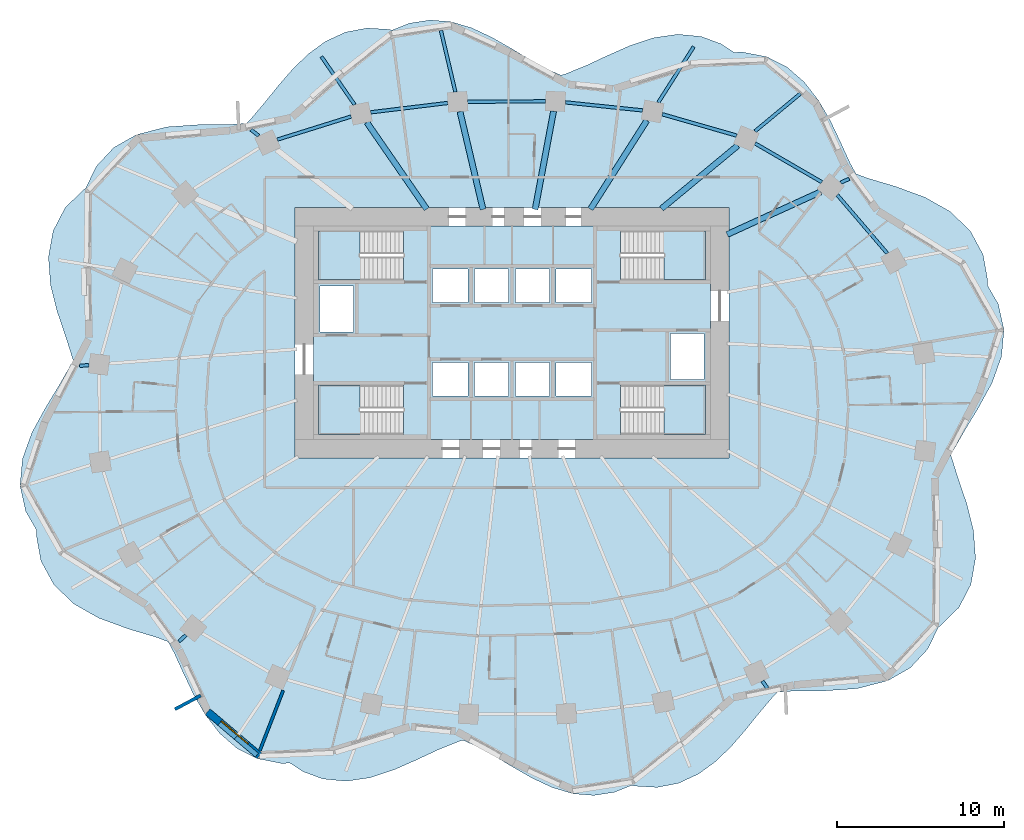
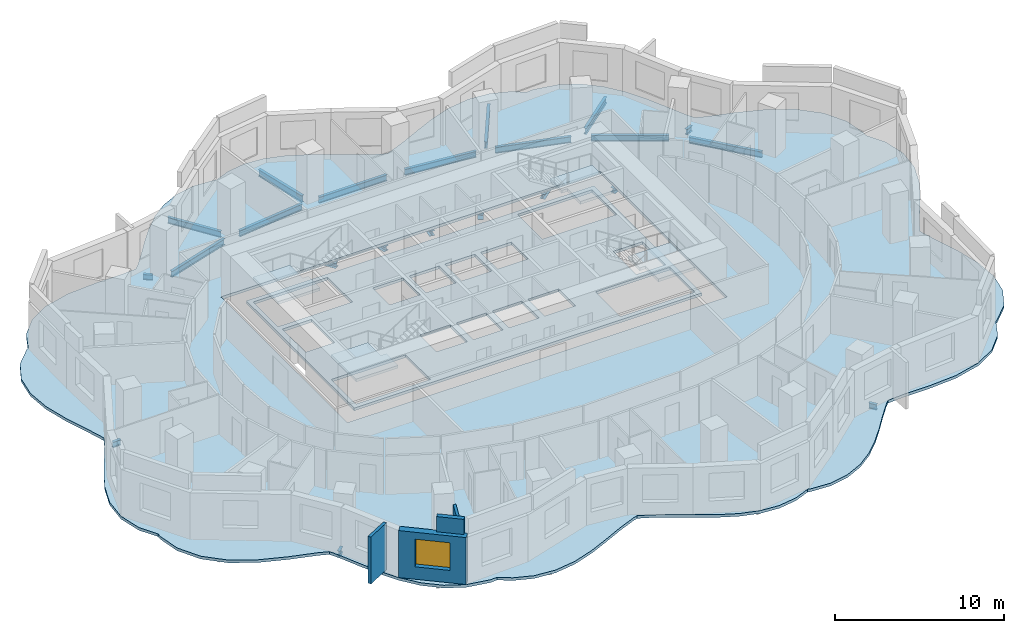
# One storey, part 2 of 11: 22 beams, 6 slabs, 4 walls, 1 window, 1 opening, 4 elements without a shape of their own.
"""IFC4 building model written with IfcOpenShell, lengths in metres."""

import ifcopenshell
import ifcopenshell.guid

model = None  # the IFC model being written
_history = None  # IfcOwnerHistory: only IFC2X3 demands one
_inside = {}  # id of a spatial element -> (the spatial element, [elements in it])
_under = {}  # id of a project, library or spatial element -> (it, [spatial elements below it])
_declared = {}  # id of a project -> (the project, [libraries it declares])
_typed = {}  # id of a type object -> (the type object, [elements of that type])
_made_of = {}  # id of a material, layer set ... -> (it, [elements and type objects made of it])


def new_model(schema):
    """Start an empty IFC model of exactly this schema.

    Asked for "IFC4X3", IfcOpenShell would pick the latest addendum, in which some entities
    have other attributes; the version numbers below select the first issue.
    IFC2X3 requires an IfcOwnerHistory on every rooted entity: one is made here for all.
    """
    global model, _history
    if schema == "IFC4X3":
        model = ifcopenshell.file(schema_version=(4, 3, 0, 0))
    else:
        model = ifcopenshell.file(schema=schema)
    _inside.clear()
    _under.clear()
    _declared.clear()
    _typed.clear()
    _made_of.clear()
    _history = None
    if model.schema == "IFC2X3":
        org = make("IfcOrganization", Name="unknown")
        user = make(
            "IfcPersonAndOrganization",
            ThePerson=make("IfcPerson", FamilyName="unknown"),
            TheOrganization=org,
        )
        app = make(
            "IfcApplication",
            ApplicationDeveloper=org,
            Version="unknown",
            ApplicationFullName="unknown",
            ApplicationIdentifier="unknown",
        )
        _history = make(
            "IfcOwnerHistory",
            OwningUser=user,
            OwningApplication=app,
            ChangeAction="ADDED",
            CreationDate=0,
        )
    return model


def make(cls, **values):
    """One entity of the class cls with the attributes given. An attribute that is None is left unset."""
    return model.create_entity(
        cls, **{name: value for name, value in values.items() if value is not None}
    )


def rooted(cls, **values):
    """An entity with a GlobalId (a new one), such as an element, a storey or a relation."""
    return make(cls, GlobalId=ifcopenshell.guid.new(), OwnerHistory=_history, **values)


def si_unit(unit_type, name, prefix=None):
    """IfcSIUnit, for example si_unit("LENGTHUNIT", "METRE", prefix="MILLI")."""
    return make("IfcSIUnit", UnitType=unit_type, Prefix=prefix, Name=name)


def assignment(units):
    """IfcUnitAssignment: the units of a project."""
    return None if units is None else make("IfcUnitAssignment", Units=units)


def point(xyz):
    """IfcCartesianPoint."""
    return None if xyz is None else make("IfcCartesianPoint", Coordinates=xyz)


def direction(xyz):
    """IfcDirection."""
    return None if xyz is None else make("IfcDirection", DirectionRatios=xyz)


def frame(location, z_axis=None, x_axis=None):
    """IfcAxis2Placement3D, a coordinate frame: its origin and axes. An axis left out is left unset."""
    return make(
        "IfcAxis2Placement3D",
        Location=point(location),
        Axis=direction(z_axis),
        RefDirection=direction(x_axis),
    )


def frame_2d(location, x_axis=None):
    """IfcAxis2Placement2D, a coordinate frame in the plane: its origin and x axis."""
    return make(
        "IfcAxis2Placement2D", Location=point(location), RefDirection=direction(x_axis)
    )


def origin():
    """The frame at (0, 0, 0) with its axes left unset."""
    return frame((0.0, 0.0, 0.0))


def origin_2d():
    """The frame at (0, 0) in the plane with its x axis left unset."""
    return frame_2d((0.0, 0.0))


def place(relative_to, where):
    """IfcLocalPlacement: puts the frame where relative to a parent placement (None: the world)."""
    return make(
        "IfcLocalPlacement", PlacementRelTo=relative_to, RelativePlacement=where
    )


def context(
    kind, dimensions, precision=None, world=None, true_north=None, identifier=None
):
    """IfcGeometricRepresentationContext, for example the 3D "Model" context."""
    return make(
        "IfcGeometricRepresentationContext",
        ContextIdentifier=identifier,
        ContextType=kind,
        CoordinateSpaceDimension=dimensions,
        Precision=precision,
        WorldCoordinateSystem=world,
        TrueNorth=true_north,
    )


def subcontext(parent, identifier, kind, view, scale=None):
    """IfcGeometricRepresentationSubContext, for example "Body" below "Model"."""
    return make(
        "IfcGeometricRepresentationSubContext",
        ContextIdentifier=identifier,
        ContextType=kind,
        ParentContext=parent,
        TargetScale=scale,
        TargetView=view,
    )


def project(units=None, contexts=None):
    """IfcProject with its units and contexts."""
    return rooted(
        "IfcProject",
        Name="project",
        RepresentationContexts=contexts,
        UnitsInContext=assignment(units),
    )


def spatial(cls, under=None, at=None, **own):
    """A site, building, storey or space (cls), placed at a placement, below another one or the project."""
    s = rooted(cls, ObjectPlacement=at, **own)
    if under is not None:
        _under.setdefault(under.id(), (under, []))[1].append(s)
    return s


def polyline(points):
    """IfcPolyline through the points."""
    return make("IfcPolyline", Points=[point(p) for p in points])


def profile(cls, at=None, kind="AREA", **sizes):
    """A parametric profile (cls). Its sizes go by their IFC names, for example OverallWidth=200.0."""
    return make(cls, ProfileType=kind, Position=at, **sizes)


def rectangle(**sizes):
    """IfcRectangleProfileDef."""
    return profile("IfcRectangleProfileDef", **sizes)


def i_section(**sizes):
    """IfcIShapeProfileDef."""
    return profile("IfcIShapeProfileDef", **sizes)


def outline(outer, holes=None, kind="AREA"):
    """IfcArbitraryClosedProfileDef: a profile drawn as a closed curve; with holes, ...WithVoids."""
    if holes is None:
        return make("IfcArbitraryClosedProfileDef", ProfileType=kind, OuterCurve=outer)
    return make(
        "IfcArbitraryProfileDefWithVoids",
        ProfileType=kind,
        OuterCurve=outer,
        InnerCurves=holes,
    )


def extrude(swept, where, along, depth):
    """IfcExtrudedAreaSolid: the profile swept, set in the frame where, extruded along a direction by depth."""
    return make(
        "IfcExtrudedAreaSolid",
        SweptArea=swept,
        Position=where,
        ExtrudedDirection=direction(along),
        Depth=depth,
    )


def shape(context_of_items, identifier, shape_type, items):
    """IfcShapeRepresentation: the items that make up one representation, for example the "Body"."""
    return make(
        "IfcShapeRepresentation",
        ContextOfItems=context_of_items,
        RepresentationIdentifier=identifier,
        RepresentationType=shape_type,
        Items=items,
    )


def material(Name=None, Category=None):
    """IfcMaterial."""
    return make("IfcMaterial", Name=Name, Category=Category)


def layer(
    of_material, thickness, ventilated=None, Name=None, Category=None, Priority=None
):
    """IfcMaterialLayer: one layer of a wall or slab, of a material (None: an air gap)."""
    return make(
        "IfcMaterialLayer",
        Material=of_material,
        LayerThickness=thickness,
        IsVentilated=ventilated,
        Name=Name,
        Category=Category,
        Priority=Priority,
    )


def layer_set(layers, Name=None):
    """IfcMaterialLayerSet."""
    return make("IfcMaterialLayerSet", MaterialLayers=layers, LayerSetName=Name)


def material_profile(
    of_material, cross_section, Name=None, Category=None, Priority=None
):
    """IfcMaterialProfile: a cross section and its material."""
    return make(
        "IfcMaterialProfile",
        Name=Name,
        Material=of_material,
        Profile=cross_section,
        Priority=Priority,
        Category=Category,
    )


def profile_set(profiles, Name=None, composite=None):
    """IfcMaterialProfileSet."""
    return make(
        "IfcMaterialProfileSet",
        Name=Name,
        MaterialProfiles=profiles,
        CompositeProfile=composite,
    )


def made_of(thing, what):
    """Note that an element or type object is made of a material, layer set ...; save() writes the relation."""
    if what is not None:
        _made_of.setdefault(what.id(), (what, []))[1].append(thing)
    return thing


def type_object(cls, material=None, **own):
    """A type object (cls), such as IfcWallType, which elements share."""
    return made_of(rooted(cls, **own), material)


def element(
    cls,
    number,
    at=None,
    inside=None,
    cuts=None,
    type_object=None,
    material=None,
    context=None,
    identifier="Body",
    shape_type=None,
    held_by="IfcProductDefinitionShape",
    body=None,
    shapes=None,
    **own,
):
    """One element of the class cls, such as IfcWall. Its Tag is "e" and its number.

    at: its placement. inside: the storey or other place that contains it. cuts: it is an
    opening in that element (IfcRelVoidsElement). A single representation is given by context,
    identifier, shape_type and body (its items); several are given by shapes. held_by: the class
    of the entity that holds the representations. save() writes the other relations.
    """
    e = rooted(cls, Tag="e%d" % number, ObjectPlacement=at, **own)
    if body is not None:
        shapes = [shape(context, identifier, shape_type, body)]
    if shapes is not None:
        e.Representation = make(held_by, Representations=shapes)
    if inside is not None:
        _inside.setdefault(inside.id(), (inside, []))[1].append(e)
    if cuts is not None:
        rooted(
            "IfcRelVoidsElement", RelatingBuildingElement=cuts, RelatedOpeningElement=e
        )
    if type_object is not None:
        _typed.setdefault(type_object.id(), (type_object, []))[1].append(e)
    return made_of(e, material)


def fill(opening, filler):
    """IfcRelFillsElement: the door or window that sits in an opening."""
    return rooted(
        "IfcRelFillsElement",
        RelatingOpeningElement=opening,
        RelatedBuildingElement=filler,
    )


def aggregate(whole, parts):
    """IfcRelAggregates: a whole, such as a stair, and the parts it consists of."""
    return rooted("IfcRelAggregates", RelatingObject=whole, RelatedObjects=parts)


def save(model, path):
    """Write the relations noted so far, then the file.

    IfcRelAggregates (storeys below a building ...), IfcRelContainedInSpatialStructure (elements
    in a storey), IfcRelDefinesByType, IfcRelAssociatesMaterial and IfcRelDeclares: one each for
    every whole, place, type object, material and project.
    """
    for whole, parts in _under.values():
        aggregate(whole, parts)
    for where, things in _inside.values():
        rooted(
            "IfcRelContainedInSpatialStructure",
            RelatedElements=things,
            RelatingStructure=where,
        )
    for kind, things in _typed.values():
        rooted("IfcRelDefinesByType", RelatedObjects=things, RelatingType=kind)
    for what, things in _made_of.values():
        rooted("IfcRelAssociatesMaterial", RelatedObjects=things, RelatingMaterial=what)
    for by, libraries in _declared.values():
        rooted("IfcRelDeclares", RelatingContext=by, RelatedDefinitions=libraries)
    model.write(path)


model = new_model("IFC4")

# Units and contexts
model_context = context("Model", 3, precision=1e-05, world=origin(), true_north=direction((0.0, 1.0)))
body_context = subcontext(model_context, "Body", "Model", "MODEL_VIEW")
ifc_project = project(units=[si_unit("LENGTHUNIT", "METRE"), si_unit("AREAUNIT", "SQUARE_METRE"), si_unit("VOLUMEUNIT", "CUBIC_METRE"), si_unit("PLANEANGLEUNIT", "RADIAN"), si_unit("MASSUNIT", "GRAM", prefix="KILO")], contexts=[model_context])

# Site, building, storey
site_placement = place(None, origin())
site = spatial("IfcSite", under=ifc_project, at=site_placement, CompositionType="ELEMENT")
building_placement = place(site_placement, origin())
building = spatial("IfcBuilding", under=site, at=building_placement, Name="Rubra Terraces Tower", CompositionType="ELEMENT")
storey_placement = place(building_placement, frame((0.0, 0.0, 114.0)))
storey = spatial("IfcBuildingStorey", under=building, at=storey_placement, Name="L27", CompositionType="ELEMENT", Elevation=114.0)

# Beams
ifc_material_1 = material(Name="Steel Q355B", Category="steel")
ifc_material_profile_1 = material_profile(ifc_material_1, i_section(OverallWidth=0.198974609375, OverallDepth=0.446044921875, WebThickness=0.008056640625, FlangeThickness=0.011962890625, at=origin_2d()), Name="HN 446x199x8x12")
ifc_profile_set_1 = profile_set([ifc_material_profile_1], Name="Steel Q355B")
beam_type_1 = type_object("IfcBeamType", Name="CANTILEVER BEAM HN 446x199x8x12", PredefinedType="BEAM", material=ifc_profile_set_1)
beam_1_placement = place(storey_placement, frame((14.56201171875, 16.56689453125, -0.423095703125), z_axis=(0.769887828259, 0.638179231799, 0.0), x_axis=(-0.638179231799, 0.769887828259, 0.0)))
element("IfcBeam", 1, at=beam_1_placement, inside=storey, type_object=beam_type_1, Name="beam-L27-cant-04", PredefinedType="BEAM", context=body_context, shape_type="SweptSolid", body=[
    extrude(i_section(OverallWidth=0.198974609375, OverallDepth=0.446044921875, WebThickness=0.008056640625, FlangeThickness=0.011962890625, at=origin_2d()), origin(), (0.0, 0.0, 1.0), 3.536865234375),
])
beam_2_placement = place(storey_placement, frame((-9.431884765625, 18.158935546875, -0.423095703125), z_axis=(-0.568143330558, 0.822929617855, 0.0), x_axis=(-0.822929617855, -0.568143330558, 0.0)))
element("IfcBeam", 2, at=beam_2_placement, inside=storey, type_object=beam_type_1, Name="beam-L27-cant-08", PredefinedType="BEAM", context=body_context, shape_type="SweptSolid", body=[
    extrude(i_section(OverallWidth=0.198974609375, OverallDepth=0.446044921875, WebThickness=0.008056640625, FlangeThickness=0.011962890625, at=origin_2d()), origin(), (0.0, 0.0, 1.0), 3.48876953125),
])
ifc_material_profile_2 = material_profile(ifc_material_1, i_section(OverallWidth=0.198974609375, OverallDepth=0.49609375, WebThickness=0.009033203125, FlangeThickness=0.013916015625, at=origin_2d()), Name="HN 496x199x9x14")
ifc_profile_set_2 = profile_set([ifc_material_profile_2], Name="Steel Q355B")
beam_type_2 = type_object("IfcBeamType", Name="CANTILEVER BEAM HN 496x199x9x14", PredefinedType="BEAM", material=ifc_profile_set_2)
beam_3_placement = place(storey_placement, frame((8.76806640625, 18.29296875, -0.447998046875), z_axis=(0.536383526096, 0.843974355613, 0.0), x_axis=(-0.843974355613, 0.536383526096, 0.0)))
element("IfcBeam", 3, at=beam_3_placement, inside=storey, type_object=beam_type_2, Name="beam-L27-cant-05", PredefinedType="BEAM", context=body_context, shape_type="SweptSolid", body=[
    extrude(i_section(OverallWidth=0.198974609375, OverallDepth=0.49609375, WebThickness=0.009033203125, FlangeThickness=0.013916015625, at=origin_2d()), origin(), (0.0, 0.0, 1.0), 3.950439453125),
])
beam_4_placement = place(storey_placement, frame((-3.39306640625, 18.922119140625, -0.447998046875), z_axis=(-0.229006945977, 0.973424788412, 0.0), x_axis=(-0.973424788412, -0.229006945977, 0.0)))
element("IfcBeam", 4, at=beam_4_placement, inside=storey, type_object=beam_type_2, Name="beam-L27-cant-07", PredefinedType="BEAM", context=body_context, shape_type="SweptSolid", body=[
    extrude(i_section(OverallWidth=0.198974609375, OverallDepth=0.49609375, WebThickness=0.009033203125, FlangeThickness=0.013916015625, at=origin_2d()), origin(), (0.0, 0.0, 1.0), 3.781494140625),
])
ifc_material_profile_3 = material_profile(ifc_material_1, i_section(OverallWidth=0.199951171875, OverallDepth=0.39990234375, WebThickness=0.008056640625, FlangeThickness=0.012939453125, at=origin_2d()), Name="HN 400x200x8x13")
ifc_profile_set_3 = profile_set([ifc_material_profile_3], Name="Steel Q355B")
beam_type_3 = type_object("IfcBeamType", Name="CANTILEVER STUB HN 400x200x8x13", PredefinedType="BEAM", material=ifc_profile_set_3)
beam_5_placement = place(storey_placement, frame((19.697998046875, 13.485107421875, -0.39990234375), z_axis=(0.909426775416, 0.415864088564, 0.0), x_axis=(-0.415864088564, 0.909426775416, 0.0)))
element("IfcBeam", 5, at=beam_5_placement, inside=storey, type_object=beam_type_3, Name="beam-L27-cant-03", PredefinedType="BEAM", context=body_context, shape_type="SweptSolid", body=[
    extrude(i_section(OverallWidth=0.199951171875, OverallDepth=0.39990234375, WebThickness=0.008056640625, FlangeThickness=0.012939453125, at=origin_2d()), origin(), (0.0, 0.0, 1.0), 0.552978515625),
])
beam_6_placement = place(storey_placement, frame((-15.177001953125, 16.2958984375, -0.39990234375), z_axis=(-0.789013838328, 0.614375425068, 0.0), x_axis=(-0.614375425068, -0.789013838328, 0.0)))
element("IfcBeam", 6, at=beam_6_placement, inside=storey, type_object=beam_type_3, Name="beam-L27-cant-09", PredefinedType="BEAM", context=body_context, shape_type="SweptSolid", body=[
    extrude(i_section(OverallWidth=0.199951171875, OverallDepth=0.39990234375, WebThickness=0.008056640625, FlangeThickness=0.012939453125, at=origin_2d()), origin(), (0.0, 0.0, 1.0), 0.5830078125),
])
beam_7_placement = place(storey_placement, frame((-25.35400390625, 2.552001953125, -0.39990234375), z_axis=(-0.997064949577, -0.076560344342, 0.0), x_axis=(0.076560344342, -0.997064949577, 0.0)))
element("IfcBeam", 7, at=beam_7_placement, inside=storey, type_object=beam_type_3, Name="beam-L27-cant-12", PredefinedType="BEAM", context=body_context, shape_type="SweptSolid", body=[
    extrude(i_section(OverallWidth=0.199951171875, OverallDepth=0.39990234375, WebThickness=0.008056640625, FlangeThickness=0.012939453125, at=origin_2d()), origin(), (0.0, 0.0, 1.0), 0.548583984375),
])
beam_8_placement = place(storey_placement, frame((-19.535888671875, -13.6201171875, -0.39990234375), z_axis=(-0.73254730476, -0.680716127537, 0.0), x_axis=(0.680716127537, -0.73254730476, 0.0)))
element("IfcBeam", 8, at=beam_8_placement, inside=storey, type_object=beam_type_3, Name="beam-L27-cant-15", PredefinedType="BEAM", context=body_context, shape_type="SweptSolid", body=[
    extrude(i_section(OverallWidth=0.199951171875, OverallDepth=0.39990234375, WebThickness=0.008056640625, FlangeThickness=0.012939453125, at=origin_2d()), origin(), (0.0, 0.0, 1.0), 0.565185546875),
])
beam_9_placement = place(storey_placement, frame((15.0, -16.376953125, -0.39990234375), z_axis=(0.58238075016, -0.812916146871, 0.0), x_axis=(0.812916146871, 0.58238075016, 0.0)))
element("IfcBeam", 9, at=beam_9_placement, inside=storey, type_object=beam_type_3, Name="beam-L27-cant-21", PredefinedType="BEAM", context=body_context, shape_type="SweptSolid", body=[
    extrude(i_section(OverallWidth=0.199951171875, OverallDepth=0.39990234375, WebThickness=0.008056640625, FlangeThickness=0.012939453125, at=origin_2d()), origin(), (0.0, 0.0, 1.0), 0.525390625),
])
ifc_material_profile_4 = material_profile(ifc_material_1, i_section(OverallWidth=0.35009765625, OverallDepth=0.35009765625, WebThickness=0.011962890625, FlangeThickness=0.01904296875, at=origin_2d()), Name="HW 350x350x12x19")
ifc_profile_set_4 = profile_set([ifc_material_profile_4], Name="Steel Q355B")
beam_type_4 = type_object("IfcBeamType", Name="FLOOR BEAM HW 350x350x12x19", PredefinedType="BEAM", material=ifc_profile_set_4)
beam_10_placement = place(storey_placement, frame((18.486083984375, 12.93310546875, -0.375), z_axis=(-0.909749612827, -0.415157370116, 0.0), x_axis=(0.415157370116, -0.909749612827, 0.0)))
element("IfcBeam", 10, at=beam_10_placement, inside=storey, type_object=beam_type_4, Name="beam-L27-floor-03", PredefinedType="BEAM", context=body_context, shape_type="SweptSolid", body=[
    extrude(i_section(OverallWidth=0.35009765625, OverallDepth=0.35009765625, WebThickness=0.011962890625, FlangeThickness=0.01904296875, at=origin_2d()), origin(), (0.0, 0.0, 1.0), 6.14990234375),
])
beam_11_placement = place(storey_placement, frame((13.52197265625, 15.705078125, -0.375), z_axis=(-0.769987448283, -0.638059032917, 0.0), x_axis=(0.638059032917, -0.769987448283, 0.0)))
element("IfcBeam", 11, at=beam_11_placement, inside=storey, type_object=beam_type_4, Name="beam-L27-floor-04", PredefinedType="BEAM", context=body_context, shape_type="SweptSolid", body=[
    extrude(i_section(OverallWidth=0.35009765625, OverallDepth=0.35009765625, WebThickness=0.011962890625, FlangeThickness=0.01904296875, at=origin_2d()), origin(), (0.0, 0.0, 1.0), 5.92724609375),
])
beam_12_placement = place(storey_placement, frame((8.075927734375, 17.205078125, -0.375), z_axis=(-0.536468405163, -0.843920405169, 0.0), x_axis=(0.843920405169, -0.536468405163, 0.0)))
element("IfcBeam", 12, at=beam_12_placement, inside=storey, type_object=beam_type_4, Name="beam-L27-floor-05", PredefinedType="BEAM", context=body_context, shape_type="SweptSolid", body=[
    extrude(i_section(OverallWidth=0.35009765625, OverallDepth=0.35009765625, WebThickness=0.011962890625, FlangeThickness=0.01904296875, at=origin_2d()), origin(), (0.0, 0.0, 1.0), 6.28759765625),
])
beam_13_placement = place(storey_placement, frame((2.489990234375, 17.762939453125, -0.375), z_axis=(-0.184505318504, -0.982831515288, 0.0), x_axis=(0.982831515288, -0.184505318504, 0.0)))
element("IfcBeam", 13, at=beam_13_placement, inside=storey, type_object=beam_type_4, Name="beam-L27-floor-06", PredefinedType="BEAM", context=body_context, shape_type="SweptSolid", body=[
    extrude(i_section(OverallWidth=0.35009765625, OverallDepth=0.35009765625, WebThickness=0.011962890625, FlangeThickness=0.01904296875, at=origin_2d()), origin(), (0.0, 0.0, 1.0), 5.983642578125),
])
beam_14_placement = place(storey_placement, frame((-3.114990234375, 17.738037109375, -0.375), z_axis=(0.229084580284, -0.973406520975, 0.0), x_axis=(0.973406520975, 0.229084580284, 0.0)))
element("IfcBeam", 14, at=beam_14_placement, inside=storey, type_object=beam_type_4, Name="beam-L27-floor-07", PredefinedType="BEAM", context=body_context, shape_type="SweptSolid", body=[
    extrude(i_section(OverallWidth=0.35009765625, OverallDepth=0.35009765625, WebThickness=0.011962890625, FlangeThickness=0.01904296875, at=origin_2d()), origin(), (0.0, 0.0, 1.0), 6.014892578125),
])
beam_15_placement = place(storey_placement, frame((-8.694091796875, 17.091064453125, -0.375), z_axis=(0.568116443955, -0.822948179479, 0.0), x_axis=(0.822948179479, 0.568116443955, 0.0)))
element("IfcBeam", 15, at=beam_15_placement, inside=storey, type_object=beam_type_4, Name="beam-L27-floor-08", PredefinedType="BEAM", context=body_context, shape_type="SweptSolid", body=[
    extrude(i_section(OverallWidth=0.35009765625, OverallDepth=0.35009765625, WebThickness=0.011962890625, FlangeThickness=0.01904296875, at=origin_2d()), origin(), (0.0, 0.0, 1.0), 6.306884765625),
])
ifc_material_profile_5 = material_profile(ifc_material_1, i_section(OverallWidth=0.198974609375, OverallDepth=0.446044921875, WebThickness=0.008056640625, FlangeThickness=0.011962890625, at=origin_2d()), Name="HN 446x199x8x12")
ifc_profile_set_5 = profile_set([ifc_material_profile_5], Name="Steel Q355B")
beam_type_5 = type_object("IfcBeamType", Name="SPANDREL BEAM HN 446x199x8x12", PredefinedType="SPANDREL", material=ifc_profile_set_5)
beam_16_placement = place(storey_placement, frame((22.48095703125, 9.251953125, -0.423095703125), z_axis=(-0.650428637413, 0.759567368726, 0.0), x_axis=(-0.759567368726, -0.650428637413, 0.0)))
element("IfcBeam", 16, at=beam_16_placement, inside=storey, type_object=beam_type_5, Name="beam-L27-spandrel-02", PredefinedType="SPANDREL", context=body_context, shape_type="SweptSolid", body=[
    extrude(i_section(OverallWidth=0.198974609375, OverallDepth=0.446044921875, WebThickness=0.008056640625, FlangeThickness=0.011962890625, at=origin_2d()), origin(), (0.0, 0.0, 1.0), 4.6015625),
])
beam_17_placement = place(storey_placement, frame((18.56494140625, 13.513916015625, -0.423095703125), z_axis=(-0.865116425734, 0.501571101565, 0.0), x_axis=(-0.501571101565, -0.865116425734, 0.0)))
element("IfcBeam", 17, at=beam_17_placement, inside=storey, type_object=beam_type_5, Name="beam-L27-spandrel-03", PredefinedType="SPANDREL", context=body_context, shape_type="SweptSolid", body=[
    extrude(i_section(OverallWidth=0.198974609375, OverallDepth=0.446044921875, WebThickness=0.008056640625, FlangeThickness=0.011962890625, at=origin_2d()), origin(), (0.0, 0.0, 1.0), 4.62353515625),
])
beam_18_placement = place(storey_placement, frame((13.4609375, 16.302978515625, -0.423095703125), z_axis=(-0.961195652649, 0.275867572085, 0.0), x_axis=(-0.275867572085, -0.961195652649, 0.0)))
element("IfcBeam", 18, at=beam_18_placement, inside=storey, type_object=beam_type_5, Name="beam-L27-spandrel-04", PredefinedType="SPANDREL", context=body_context, shape_type="SweptSolid", body=[
    extrude(i_section(OverallWidth=0.198974609375, OverallDepth=0.446044921875, WebThickness=0.008056640625, FlangeThickness=0.011962890625, at=origin_2d()), origin(), (0.0, 0.0, 1.0), 4.639892578125),
])
beam_19_placement = place(storey_placement, frame((7.822998046875, 17.81201171875, -0.423095703125), z_axis=(-0.994588599148, 0.103891859374, 0.0), x_axis=(-0.103891859374, -0.994588599148, 0.0)))
element("IfcBeam", 19, at=beam_19_placement, inside=storey, type_object=beam_type_5, Name="beam-L27-spandrel-05", PredefinedType="SPANDREL", context=body_context, shape_type="SweptSolid", body=[
    extrude(i_section(OverallWidth=0.198974609375, OverallDepth=0.446044921875, WebThickness=0.008056640625, FlangeThickness=0.011962890625, at=origin_2d()), origin(), (0.0, 0.0, 1.0), 4.648193359375),
])
beam_20_placement = place(storey_placement, frame((2.0009765625, 18.35498046875, -0.423095703125), z_axis=(-0.99998885538, -0.004721135025, 0.0), x_axis=(0.004721135025, -0.99998885538, 0.0)))
element("IfcBeam", 20, at=beam_20_placement, inside=storey, type_object=beam_type_5, Name="beam-L27-spandrel-06", PredefinedType="SPANDREL", context=body_context, shape_type="SweptSolid", body=[
    extrude(i_section(OverallWidth=0.198974609375, OverallDepth=0.446044921875, WebThickness=0.008056640625, FlangeThickness=0.011962890625, at=origin_2d()), origin(), (0.0, 0.0, 1.0), 4.654052734375),
])
beam_21_placement = place(storey_placement, frame((-3.85107421875, 18.258056640625, -0.423095703125), z_axis=(-0.992713612833, -0.120497646851, 0.0), x_axis=(0.120497646851, -0.992713612833, 0.0)))
element("IfcBeam", 21, at=beam_21_placement, inside=storey, type_object=beam_type_5, Name="beam-L27-spandrel-07", PredefinedType="SPANDREL", context=body_context, shape_type="SweptSolid", body=[
    extrude(i_section(OverallWidth=0.198974609375, OverallDepth=0.446044921875, WebThickness=0.008056640625, FlangeThickness=0.011962890625, at=origin_2d()), origin(), (0.0, 0.0, 1.0), 4.64794921875),
])
beam_22_placement = place(storey_placement, frame((-9.637939453125, 17.445068359375, -0.423095703125), z_axis=(-0.954462184919, -0.298331925142, 0.0), x_axis=(0.298331925142, -0.954462184919, 0.0)))
element("IfcBeam", 22, at=beam_22_placement, inside=storey, type_object=beam_type_5, Name="beam-L27-spandrel-08", PredefinedType="SPANDREL", context=body_context, shape_type="SweptSolid", body=[
    extrude(i_section(OverallWidth=0.198974609375, OverallDepth=0.446044921875, WebThickness=0.008056640625, FlangeThickness=0.011962890625, at=origin_2d()), origin(), (0.0, 0.0, 1.0), 4.63916015625),
])

# Slab
ifc_material_2 = material(Name="Concrete C40", Category="concrete")
ifc_layer_1 = layer(ifc_material_2, 0.199951171875)
ifc_layer_set_1 = layer_set([ifc_layer_1], Name="Concrete C40")
slab_type_1 = type_object("IfcSlabType", Name="Core floor slab 200 concrete", PredefinedType="FLOOR", material=ifc_layer_set_1)
slab_1_placement = place(storey_placement, frame((0.0, 0.0, -0.199951171875)))
element("IfcSlab", 23, at=slab_1_placement, inside=storey, type_object=slab_type_1, Name="CORE FLOOR SLAB L27", PredefinedType="FLOOR", context=body_context, shape_type="SweptSolid", body=[
    extrude(outline(polyline([(-11.89990234375, -1.89990234375), (-11.89990234375, 10.89990234375), (11.89990234375, 10.89990234375), (11.89990234375, -1.89990234375), (-11.89990234375, -1.89990234375)]), holes=[polyline([(11.597900390625, 1.347900390625), (6.501953125, 1.347900390625), (6.501953125, -1.597900390625), (11.597900390625, -1.597900390625), (11.597900390625, 1.347900390625)]), polyline([(11.597900390625, 7.652099609375), (11.597900390625, 10.597900390625), (6.501953125, 10.597900390625), (6.501953125, 7.652099609375), (11.597900390625, 7.652099609375)]), polyline([(9.5, 1.699951171875), (11.5, 1.699951171875), (11.5, 4.449951171875), (9.5, 4.449951171875), (9.5, 1.699951171875)]), polyline([(4.75, 0.699951171875), (4.75, 2.699951171875), (2.64990234375, 2.699951171875), (2.64990234375, 0.699951171875), (4.75, 0.699951171875)]), polyline([(4.75, 6.300048828125), (4.75, 8.300048828125), (2.64990234375, 8.300048828125), (2.64990234375, 6.300048828125), (4.75, 6.300048828125)]), polyline([(2.25, 0.699951171875), (2.25, 2.699951171875), (0.199951171875, 2.699951171875), (0.199951171875, 0.699951171875), (2.25, 0.699951171875)]), polyline([(2.25, 6.300048828125), (2.25, 8.300048828125), (0.199951171875, 8.300048828125), (0.199951171875, 6.300048828125), (2.25, 6.300048828125)]), polyline([(-0.199951171875, 0.699951171875), (-0.199951171875, 2.699951171875), (-2.25, 2.699951171875), (-2.25, 0.699951171875), (-0.199951171875, 0.699951171875)]), polyline([(-0.199951171875, 6.300048828125), (-0.199951171875, 8.300048828125), (-2.25, 8.300048828125), (-2.25, 6.300048828125), (-0.199951171875, 6.300048828125)]), polyline([(-2.64990234375, 0.699951171875), (-2.64990234375, 2.699951171875), (-4.75, 2.699951171875), (-4.75, 0.699951171875), (-2.64990234375, 0.699951171875)]), polyline([(-2.64990234375, 8.300048828125), (-4.75, 8.300048828125), (-4.75, 6.300048828125), (-2.64990234375, 6.300048828125), (-2.64990234375, 8.300048828125)]), polyline([(-11.597900390625, -1.597900390625), (-6.501953125, -1.597900390625), (-6.501953125, 1.347900390625), (-11.597900390625, 1.347900390625), (-11.597900390625, -1.597900390625)]), polyline([(-11.597900390625, 10.597900390625), (-11.597900390625, 7.652099609375), (-6.501953125, 7.652099609375), (-6.501953125, 10.597900390625), (-11.597900390625, 10.597900390625)]), polyline([(-9.5, 4.550048828125), (-9.5, 7.300048828125), (-11.5, 7.300048828125), (-11.5, 4.550048828125), (-9.5, 4.550048828125)])]), origin(), (0.0, 0.0, 1.0), 0.199951171875),
])

# Stair, slab
stair_type = type_object("IfcStairType", Name="Core stair 1400", PredefinedType="HALF_TURN_STAIR", material=ifc_material_2)
stair_1_placement = place(storey_placement, origin())
stair_1 = element("IfcStair", 24, at=stair_1_placement, inside=storey, type_object=stair_type, Name="L27 Exit stair S1", PredefinedType="HALF_TURN_STAIR")
ifc_layer_2 = layer(ifc_material_2, 0.199951171875)
ifc_layer_set_2 = layer_set([ifc_layer_2], Name="Concrete C40")
slab_type_2 = type_object("IfcSlabType", Name="Core stair landing 200", PredefinedType="LANDING", material=ifc_layer_set_2)
slab_2_placement = place(storey_placement, frame((0.0, 0.0, 1.60009765625)))
slab_2 = element("IfcSlab", 25, at=slab_2_placement, type_object=slab_type_2, Name="S1 landing 1", PredefinedType="LANDING", context=body_context, shape_type="SweptSolid", body=[
    extrude(outline(polyline([(-8.719970703125, -0.199951171875), (-8.719970703125, -1.60009765625), (-9.10009765625, -1.60009765625), (-9.1201171875, -1.60009765625), (-11.60009765625, -1.60009765625), (-11.60009765625, 1.35009765625), (-9.1201171875, 1.35009765625), (-9.097900390625, 1.35009765625), (-9.097900390625, -0.050048828125), (-9.10009765625, -0.050048828125), (-9.10009765625, -0.199951171875), (-8.719970703125, -0.199951171875)])), origin(), (0.0, 0.0, 1.0), 0.199951171875),
])
aggregate(stair_1, [slab_2])

stair_2_placement = place(storey_placement, origin())
stair_2 = element("IfcStair", 26, at=stair_2_placement, inside=storey, type_object=stair_type, Name="L27 Exit stair S2", PredefinedType="HALF_TURN_STAIR")
slab_3_placement = place(storey_placement, frame((0.0, 0.0, 1.60009765625)))
slab_3 = element("IfcSlab", 27, at=slab_3_placement, type_object=slab_type_2, Name="S2 landing 1", PredefinedType="LANDING", context=body_context, shape_type="SweptSolid", body=[
    extrude(outline(polyline([(-8.719970703125, 9.050048828125), (-8.719970703125, 7.64990234375), (-9.1201171875, 7.64990234375), (-11.60009765625, 7.64990234375), (-11.60009765625, 10.60009765625), (-9.1201171875, 10.60009765625), (-9.10009765625, 10.60009765625), (-9.097900390625, 10.60009765625), (-9.097900390625, 9.199951171875), (-9.10009765625, 9.199951171875), (-9.10009765625, 9.050048828125), (-8.719970703125, 9.050048828125)])), origin(), (0.0, 0.0, 1.0), 0.199951171875),
])
aggregate(stair_2, [slab_3])

stair_3_placement = place(storey_placement, origin())
stair_3 = element("IfcStair", 28, at=stair_3_placement, inside=storey, type_object=stair_type, Name="L27 Exit stair S3", PredefinedType="HALF_TURN_STAIR")
slab_4_placement = place(storey_placement, frame((0.0, 0.0, 1.60009765625)))
slab_4 = element("IfcSlab", 29, at=slab_4_placement, type_object=slab_type_2, Name="S3 landing 1", PredefinedType="LANDING", context=body_context, shape_type="SweptSolid", body=[
    extrude(outline(polyline([(9.10009765625, 9.050048828125), (9.10009765625, 9.199951171875), (8.719970703125, 9.199951171875), (8.719970703125, 10.60009765625), (9.10009765625, 10.60009765625), (9.1201171875, 10.60009765625), (11.60009765625, 10.60009765625), (11.60009765625, 7.64990234375), (9.1201171875, 7.64990234375), (9.097900390625, 7.64990234375), (9.097900390625, 9.050048828125), (9.10009765625, 9.050048828125)])), origin(), (0.0, 0.0, 1.0), 0.199951171875),
])
aggregate(stair_3, [slab_4])

stair_4_placement = place(storey_placement, origin())
stair_4 = element("IfcStair", 30, at=stair_4_placement, inside=storey, type_object=stair_type, Name="L27 Exit stair S4", PredefinedType="HALF_TURN_STAIR")
slab_5_placement = place(storey_placement, frame((0.0, 0.0, 1.60009765625)))
slab_5 = element("IfcSlab", 31, at=slab_5_placement, type_object=slab_type_2, Name="S4 landing 1", PredefinedType="LANDING", context=body_context, shape_type="SweptSolid", body=[
    extrude(outline(polyline([(9.10009765625, -0.199951171875), (9.10009765625, -0.050048828125), (8.719970703125, -0.050048828125), (8.719970703125, 1.35009765625), (9.10009765625, 1.35009765625), (9.1201171875, 1.35009765625), (11.60009765625, 1.35009765625), (11.60009765625, -1.60009765625), (9.1201171875, -1.60009765625), (9.10009765625, -1.60009765625), (9.097900390625, -1.60009765625), (9.097900390625, -0.199951171875), (9.10009765625, -0.199951171875)])), origin(), (0.0, 0.0, 1.0), 0.199951171875),
])
aggregate(stair_4, [slab_5])

# Slab
ifc_layer_3 = layer(ifc_material_2, 0.199951171875)
ifc_layer_set_3 = layer_set([ifc_layer_3], Name="Concrete C40")
slab_type_3 = type_object("IfcSlabType", Name="FLOOR SLAB 200 COMPOSITE", PredefinedType="FLOOR", material=ifc_layer_set_3)
slab_6_placement = place(storey_placement, frame((0.0, 0.0, -0.199951171875)))
element("IfcSlab", 32, at=slab_6_placement, inside=storey, type_object=slab_type_3, Name="FLOOR SLAB L27", PredefinedType="FLOOR", context=body_context, shape_type="SweptSolid", body=[
    extrude(outline(polyline([(-7.0458984375, -21.68603515625), (-5.712890625, -21.096923828125), (-4.419921875, -20.491943359375), (-3.1650390625, -19.985107421875), (-2.930908203125, -19.922119140625), (-2.111083984375, -20.2900390625), (-1.06494140625, -20.866943359375), (0.0, -21.5), (1.199951171875, -22.18798828125), (2.422119140625, -22.759033203125), (3.6630859375, -23.126953125), (4.908935546875, -23.22900390625), (6.138916015625, -23.037109375), (7.18505859375, -22.618896484375), (7.364990234375, -22.66796875), (8.68798828125, -22.74609375), (9.969970703125, -22.5029296875), (11.180908203125, -21.943115234375), (12.205078125, -21.195068359375), (13.14599609375, -20.282958984375), (14.010986328125, -19.284912109375), (14.845947265625, -18.2490234375), (15.655029296875, -17.29296875), (15.9169921875, -17.033935546875), (16.968017578125, -16.968017578125), (18.7890625, -16.9580078125), (20.68994140625, -16.824951171875), (22.510009765625, -16.35498046875), (23.864990234375, -15.5810546875), (24.9140625, -14.4560546875), (25.544921875, -13.14208984375), (25.6650390625, -13.076904296875), (26.780029296875, -11.968994140625), (27.4951171875, -10.587890625), (27.77197265625, -9.02392578125), (27.65087890625, -7.37109375), (27.2470703125, -5.7529296875), (26.73095703125, -4.23388671875), (26.2939453125, -2.844970703125), (26.31689453125, -2.7880859375), (27.0791015625, -1.43603515625), (27.949951171875, 0.0), (28.764892578125, 1.492919921875), (29.327880859375, 3.06201171875), (29.47607421875, 4.6689453125), (29.134033203125, 6.214111328125), (28.47607421875, 7.347900390625), (28.501953125, 7.617919921875), (28.22607421875, 9.1708984375), (27.449951171875, 10.60400390625), (26.242919921875, 11.759033203125), (24.7470703125, 12.60888671875), (22.95703125, 13.262939453125), (21.2451171875, 13.77197265625), (20.60009765625, 14.02099609375), (20.235107421875, 14.701904296875), (19.68896484375, 15.89990234375), (19.091064453125, 17.156982421875), (18.384033203125, 18.384033203125), (17.507080078125, 19.51708984375), (16.466064453125, 20.4189453125), (15.27392578125, 21.02294921875), (13.781005859375, 21.31494140625), (13.30810546875, 21.284912109375), (12.529052734375, 21.798095703125), (11.3330078125, 22.240966796875), (9.931884765625, 22.3759765625), (8.489013671875, 22.1650390625), (7.0458984375, 21.68603515625), (5.712890625, 21.096923828125), (4.419921875, 20.491943359375), (3.1650390625, 19.985107421875), (2.930908203125, 19.922119140625), (2.111083984375, 20.2900390625), (1.06494140625, 20.866943359375), (0.0, 21.5), (-1.199951171875, 22.18798828125), (-2.422119140625, 22.759033203125), (-3.6630859375, 23.126953125), (-4.908935546875, 23.22900390625), (-6.138916015625, 23.037109375), (-7.18505859375, 22.618896484375), (-7.364990234375, 22.66796875), (-8.68798828125, 22.74609375), (-9.969970703125, 22.5029296875), (-11.180908203125, 21.943115234375), (-12.205078125, 21.195068359375), (-13.14599609375, 20.282958984375), (-14.010986328125, 19.284912109375), (-14.845947265625, 18.2490234375), (-15.655029296875, 17.29296875), (-15.9169921875, 17.033935546875), (-16.968017578125, 16.968017578125), (-18.7890625, 16.9580078125), (-20.68994140625, 16.824951171875), (-22.510009765625, 16.35498046875), (-23.864990234375, 15.5810546875), (-24.9140625, 14.4560546875), (-25.544921875, 13.14208984375), (-25.6650390625, 13.076904296875), (-26.780029296875, 11.968994140625), (-27.4951171875, 10.587890625), (-27.77197265625, 9.02392578125), (-27.65087890625, 7.37109375), (-27.2470703125, 5.7529296875), (-26.73095703125, 4.23388671875), (-26.2939453125, 2.844970703125), (-26.31689453125, 2.7880859375), (-27.0791015625, 1.43603515625), (-27.949951171875, 0.0), (-28.764892578125, -1.492919921875), (-29.327880859375, -3.06201171875), (-29.47607421875, -4.6689453125), (-29.134033203125, -6.214111328125), (-28.47607421875, -7.347900390625), (-28.501953125, -7.617919921875), (-28.22607421875, -9.1708984375), (-27.449951171875, -10.60400390625), (-26.242919921875, -11.759033203125), (-24.7470703125, -12.60888671875), (-22.95703125, -13.262939453125), (-21.2451171875, -13.77197265625), (-20.60009765625, -14.02099609375), (-20.235107421875, -14.701904296875), (-19.68896484375, -15.89990234375), (-19.091064453125, -17.156982421875), (-18.384033203125, -18.384033203125), (-17.507080078125, -19.51708984375), (-16.466064453125, -20.4189453125), (-15.27392578125, -21.02294921875), (-13.781005859375, -21.31494140625), (-13.30810546875, -21.284912109375), (-12.529052734375, -21.798095703125), (-11.3330078125, -22.240966796875), (-9.931884765625, -22.3759765625), (-8.489013671875, -22.1650390625), (-7.0458984375, -21.68603515625)]), holes=[polyline([(13.0, 12.0), (13.0, -3.0), (-13.0, -3.0), (-13.0, 12.0), (13.0, 12.0)])]), origin(), (0.0, 0.0, 1.0), 0.199951171875),
])

# Wall
ifc_material_3 = material(Name="Twin plasterboard on staggered steel stud, acoustic mineral wool", Category="steel")
ifc_layer_4 = layer(ifc_material_3, 0.175048828125)
ifc_layer_set_4 = layer_set([ifc_layer_4], Name="Twin plasterboard on staggered steel stud, acoustic mineral wool")
wall_type_1 = type_object("IfcWallType", Name="ACOUSTIC PARTY WALL 175", PredefinedType="PARTITIONING", material=ifc_layer_set_4)
wall_1_placement = place(storey_placement, frame((-15.115478515625, -20.56201171875, 0.0), z_axis=(0.0, 0.0, 1.0), x_axis=(0.361692522346, 0.93229744142, 0.0)))
element("IfcWall", 33, at=wall_1_placement, inside=storey, type_object=wall_type_1, Name="PARTITION", PredefinedType="PARTITIONING", context=body_context, shape_type="SweptSolid", body=[
    extrude(rectangle(XDim=3.892578125, YDim=0.175048828125, at=frame_2d((1.9462890625, 0.0))), origin(), (0.0, 0.0, 1.0), 2.783935546875),
])

# Wall, opening, window
ifc_material_4 = material(Name="Brick masonry red-brown", Category="masonry")
ifc_layer_5 = layer(ifc_material_4, 0.449951171875)
ifc_layer_set_5 = layer_set([ifc_layer_5], Name="Brick masonry red-brown")
wall_type_2 = type_object("IfcWallType", Name="Brick facade wall 450", PredefinedType="SOLIDWALL", material=ifc_layer_set_5)
wall_2_placement = place(storey_placement, frame((-18.23828125, -18.21240234375, 0.0), z_axis=(0.0, 0.0, 1.0), x_axis=(0.762479604733, -0.647012250554, 0.0)))
wall_2 = element("IfcWall", 34, at=wall_2_placement, inside=storey, type_object=wall_type_2, Name="Facade wall L27 bay 26", PredefinedType="SOLIDWALL", context=body_context, shape_type="SweptSolid", body=[
    extrude(rectangle(XDim=4.07861328125, YDim=0.449951171875, at=frame_2d((2.039306640625, 0.0))), origin(), (0.0, 0.0, 1.0), 3.39990234375),
])
opening_placement = place(wall_2_placement, frame((0.989501953125, 0.0, 0.89990234375)))
opening = element("IfcOpeningElement", 35, at=opening_placement, cuts=wall_2, Name="Opening W1", PredefinedType="OPENING", context=body_context, shape_type="SweptSolid", body=[
    extrude(rectangle(XDim=2.10009765625, YDim=2.0, at=frame_2d((1.050048828125, 1.0))), frame((0.0, 0.23486328125, 0.0), z_axis=(0.0, -1.0, 0.0), x_axis=(1.0, 0.0, 0.0)), (0.0, 0.0, 1.0), 0.469970703125),
])
ifc_material_5 = material(Name="Clear glass in aluminium frame", Category="aluminium")
window_type = type_object("IfcWindowType", Name="Fixed deep-set window 2100 x 2000", PartitioningType="SINGLE_PANEL", PredefinedType="WINDOW", material=ifc_material_5)
window_placement = place(opening_placement, origin())
window = element("IfcWindow", 36, at=window_placement, inside=storey, type_object=window_type, Name="Window L27 bay 26", OverallHeight=2.0, OverallWidth=2.10009765625, PartitioningType="SINGLE_PANEL", PredefinedType="WINDOW", context=body_context, shape_type="SweptSolid", body=[
    extrude(rectangle(XDim=2.10009765625, YDim=2.0, at=frame_2d((1.050048828125, 1.0))), frame((0.0, 0.135009765625, 0.0), z_axis=(0.0, -1.0, 0.0), x_axis=(1.0, 0.0, 0.0)), (0.0, 0.0, 1.0), 0.06005859375),
])
fill(opening, window)

# Walls
ifc_layer_6 = layer(ifc_material_4, 0.300048828125)
ifc_layer_set_6 = layer_set([ifc_layer_6], Name="Brick masonry red-brown")
wall_type_3 = type_object("IfcWallType", Name="Brick parapet 300", PredefinedType="PARAPET", material=ifc_layer_set_6)
wall_3_placement = place(storey_placement, frame((-16.54150390625, -19.75048828125, 3.60009765625), z_axis=(0.0, 0.0, 1.0), x_axis=(0.762426907318, -0.647074347349, 0.0)))
element("IfcWall", 37, at=wall_3_placement, inside=storey, type_object=wall_type_3, Name="Parapet L27 bay 26", PredefinedType="PARAPET", context=body_context, shape_type="SweptSolid", body=[
    extrude(rectangle(XDim=1.642333984375, YDim=0.300048828125, at=frame_2d((0.8212890625, 0.0))), origin(), (0.0, 0.0, 1.0), 1.099853515625),
])
ifc_layer_7 = layer(ifc_material_4, 0.199951171875)
ifc_layer_set_7 = layer_set([ifc_layer_7], Name="Brick masonry red-brown")
wall_type_4 = type_object("IfcWallType", Name="Brick wind fin 200", PredefinedType="SOLIDWALL", material=ifc_layer_set_7)
wall_4_placement = place(storey_placement, frame((-18.65087890625, -17.242919921875, 0.0), z_axis=(0.0, 0.0, 1.0), x_axis=(-0.882225472329, -0.470827161466, 0.0)))
element("IfcWall", 38, at=wall_4_placement, inside=storey, type_object=wall_type_4, Name="Wind fin L27 15", PredefinedType="SOLIDWALL", context=body_context, shape_type="SweptSolid", body=[
    extrude(rectangle(XDim=1.75, YDim=0.199951171875, at=frame_2d((0.875, 0.0))), origin(), (0.0, 0.0, 1.0), 3.39990234375),
])

save(model, "model.ifc")
